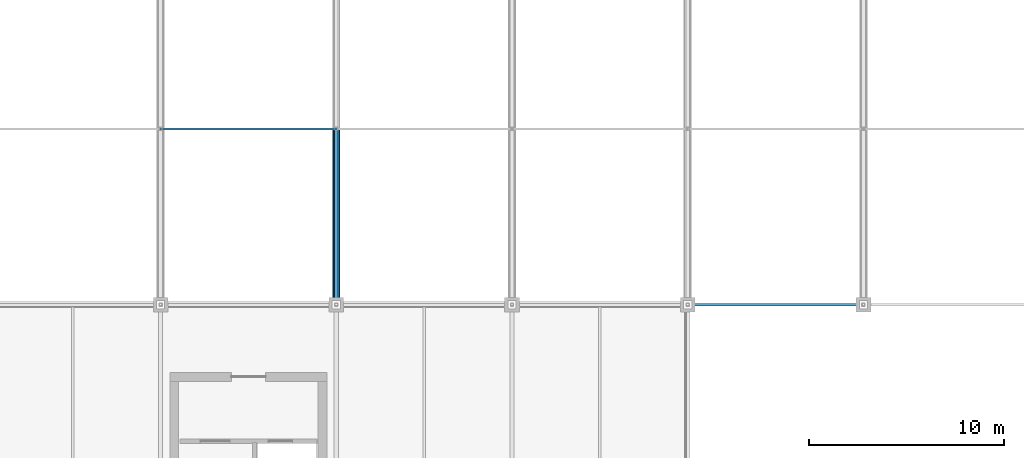
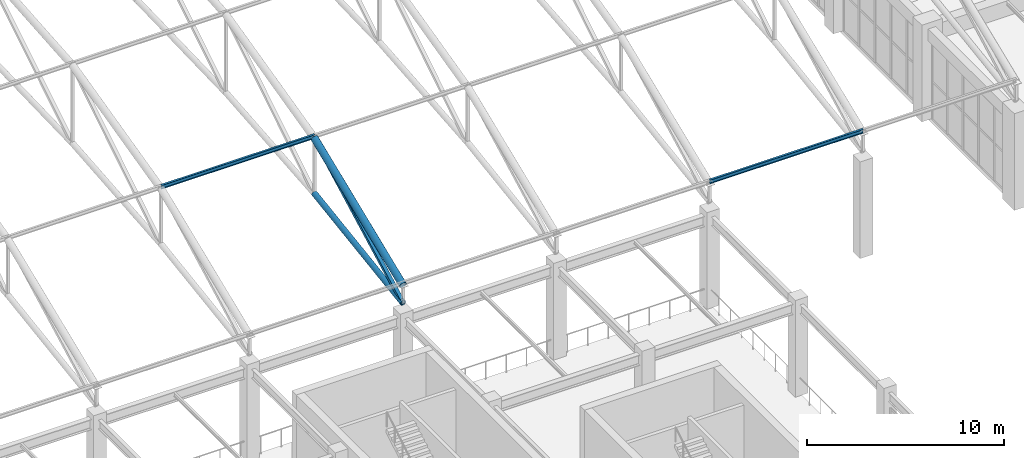
# One storey, part 83 of 223: 5 members.
"""IFC4 building model written with IfcOpenShell, lengths in metres."""

from ifc_helpers import new_model, si_unit, direction, frame, origin, origin_2d, place, context, subcontext, project, spatial, hollow_rectangle, hollow_circle, i_section, extrude, material, material_profile, profile_set, type_object, element, save


model = new_model("IFC4")

# Units and contexts
model_context = context("Model", 3, precision=1e-05, world=origin(), true_north=direction((0.0, 1.0)))
body_context = subcontext(model_context, "Body", "Model", "MODEL_VIEW")
ifc_project = project(units=[si_unit("LENGTHUNIT", "METRE"), si_unit("AREAUNIT", "SQUARE_METRE"), si_unit("VOLUMEUNIT", "CUBIC_METRE"), si_unit("PLANEANGLEUNIT", "RADIAN"), si_unit("MASSUNIT", "GRAM", prefix="KILO")], contexts=[model_context])

# Site, building, storey
site_placement = place(None, origin())
site = spatial("IfcSite", under=ifc_project, at=site_placement, CompositionType="ELEMENT")
building_placement = place(site_placement, origin())
building = spatial("IfcBuilding", under=site, at=building_placement, Name="Dornveld Trade and Exhibition Forum", CompositionType="ELEMENT")
storey_placement = place(building_placement, frame((0.0, 0.0, 6.0)))
storey = spatial("IfcBuildingStorey", under=building, at=storey_placement, Name="L01", CompositionType="ELEMENT", Elevation=6.0)

# Members
ifc_material_1 = material(Name="Steel S355J2", Category="steel")
ifc_material_profile_1 = material_profile(ifc_material_1, hollow_circle(Radius=0.161865234375, WallThickness=0.01611328125, at=origin_2d()), Name="CHS 323.9x16")
ifc_profile_set_1 = profile_set([ifc_material_profile_1], Name="Steel S355J2")
member_type_1 = type_object("IfcMemberType", Name="MEM-ARCH-BC", PredefinedType="CHORD", material=ifc_profile_set_1)
member_1_placement = place(storey_placement, frame((135.0, 108.0, 6.35009765625), z_axis=(0.0, 0.989204758987, 0.146539908551), x_axis=(-1.0, 0.0, 0.0)))
element("IfcMember", 1, at=member_1_placement, inside=storey, type_object=member_type_1, Name="H1 truss 5 tie chord 1", PredefinedType="CHORD", context=body_context, shape_type="SweptSolid", body=[
    extrude(hollow_circle(Radius=0.161865234375, WallThickness=0.01611328125, at=origin_2d()), origin(), (0.0, 0.0, 1.0), 9.09814453125),
])
ifc_material_2 = material(Name="Steel S355J2", Category="steel")
ifc_material_profile_2 = material_profile(ifc_material_2, hollow_circle(Radius=0.203125, WallThickness=0.02001953125, at=origin_2d()), Name="CHS 406.4x20")
ifc_profile_set_2 = profile_set([ifc_material_profile_2], Name="Steel S355J2")
member_type_2 = type_object("IfcMemberType", Name="MEM-ARCH-TC", PredefinedType="CHORD", material=ifc_profile_set_2)
member_2_placement = place(storey_placement, frame((135.0, 108.0, 7.449951171875), z_axis=(0.0, 0.926089433793, 0.377304069177), x_axis=(-1.0, 0.0, 0.0)))
element("IfcMember", 2, at=member_2_placement, inside=storey, type_object=member_type_2, Name="H1 truss 5 top chord 1", PredefinedType="CHORD", context=body_context, shape_type="SweptSolid", body=[
    extrude(hollow_circle(Radius=0.203125, WallThickness=0.02001953125, at=origin_2d()), origin(), (0.0, 0.0, 1.0), 9.71826171875),
])
ifc_material_3 = material(Name="Steel S355J2", Category="steel")
ifc_material_profile_3 = material_profile(ifc_material_3, hollow_rectangle(XDim=0.199951171875, YDim=0.199951171875, WallThickness=0.010009765625, at=origin_2d()), Name="SHS 200x200x10")
ifc_profile_set_3 = profile_set([ifc_material_profile_3], Name="Steel S355J2")
member_type_3 = type_object("IfcMemberType", Name="MEM-ARCH-WEB", PredefinedType="BRACE", material=ifc_profile_set_3)
member_3_placement = place(storey_placement, frame((135.0, 108.0, 6.35009765625), z_axis=(0.0, 0.883710934211, 0.468033102201), x_axis=(-1.0, 0.0, 0.0)))
element("IfcMember", 3, at=member_3_placement, inside=storey, type_object=member_type_3, Name="H1 truss 5 web 1", PredefinedType="BRACE", context=body_context, shape_type="SweptSolid", body=[
    extrude(hollow_rectangle(XDim=0.199951171875, YDim=0.199951171875, WallThickness=0.010009765625, at=origin_2d()), origin(), (0.0, 0.0, 1.0), 10.184326171875),
])
ifc_material_4 = material(Name="Steel S355J2", Category="steel")
ifc_material_profile_4 = material_profile(ifc_material_4, i_section(OverallWidth=0.1201171875, OverallDepth=0.239990234375, WebThickness=0.006103515625, FlangeThickness=0.009765625, FilletRadius=0.014892578125, at=origin_2d()), Name="IPE 240")
ifc_profile_set_4 = profile_set([ifc_material_profile_4], Name="Steel S355J2")
member_type_4 = type_object("IfcMemberType", Name="MEM-PURLIN-240", PredefinedType="PURLIN", material=ifc_profile_set_4)
for number, where, z_axis, x_axis, name in (
    (4, (126.0, 117.0, 11.248779296875), (1.0, 0.0, 0.0), (0.0, 1.0, 0.0), "H1 bay 4 roof purlin 2"),
    (5, (153.0, 108.0, 7.58203125), (1.0, 0.0, 0.0), (0.0, 1.0, 0.0), "H1 bay 7 roof purlin 1"),
):
    element("IfcMember", number, at=place(storey_placement, frame(where, z_axis=z_axis, x_axis=x_axis)), inside=storey, type_object=member_type_4, Name=name, PredefinedType="PURLIN", context=body_context, shape_type="SweptSolid", body=[
        extrude(i_section(OverallWidth=0.1201171875, OverallDepth=0.239990234375, WebThickness=0.006103515625, FlangeThickness=0.009765625, FilletRadius=0.014892578125, at=origin_2d()), origin(), (0.0, 0.0, 1.0), 9.0),
    ])

save(model, "model.ifc")
